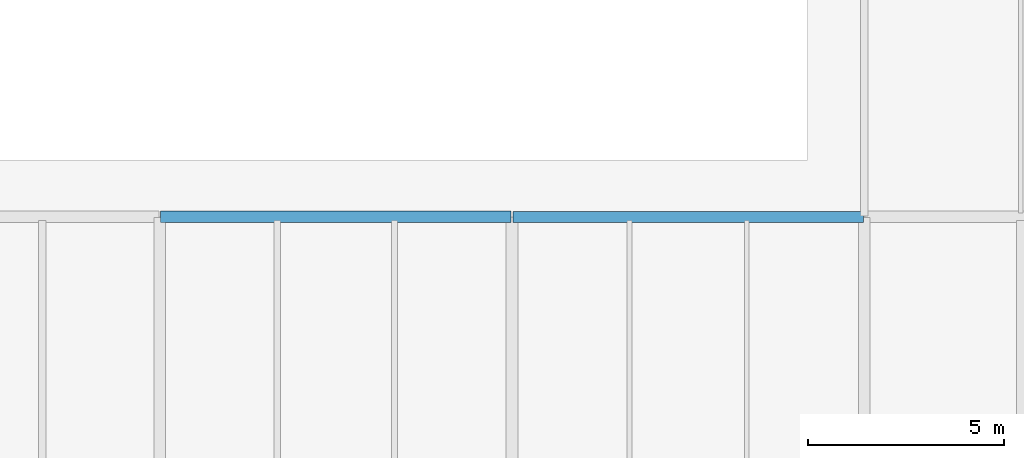
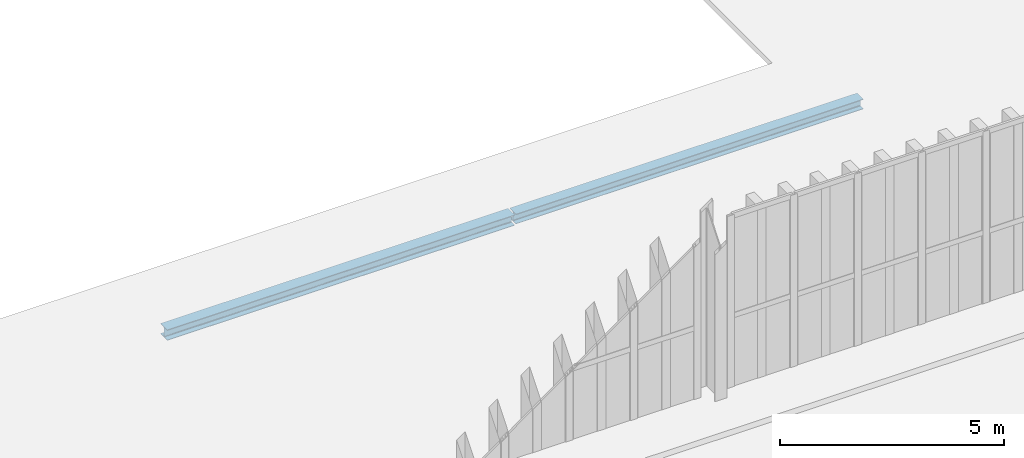
# One storey, part 158 of 237: 2 beams.
"""IFC4 building model written with IfcOpenShell, lengths in metres."""

from ifc_helpers import new_model, si_unit, direction, frame, origin, origin_2d, place, context, subcontext, project, spatial, i_section, extrude, material, material_profile, profile_set, type_object, element, save


model = new_model("IFC4")

# Units and contexts
model_context = context("Model", 3, precision=1e-05, world=origin(), true_north=direction((0.0, 1.0)))
body_context = subcontext(model_context, "Body", "Model", "MODEL_VIEW")
ifc_project = project(units=[si_unit("LENGTHUNIT", "METRE"), si_unit("AREAUNIT", "SQUARE_METRE"), si_unit("VOLUMEUNIT", "CUBIC_METRE"), si_unit("PLANEANGLEUNIT", "RADIAN"), si_unit("MASSUNIT", "GRAM", prefix="KILO")], contexts=[model_context])

# Site, building, storey
site_placement = place(None, origin())
site = spatial("IfcSite", under=ifc_project, at=site_placement, CompositionType="ELEMENT")
building_placement = place(site_placement, origin())
building = spatial("IfcBuilding", under=site, at=building_placement, Name="Barlavento Convention Centre", CompositionType="ELEMENT")
storey_placement = place(building_placement, frame((0.0, 0.0, 12.0)))
storey = spatial("IfcBuildingStorey", under=building, at=storey_placement, Name="L02", CompositionType="ELEMENT", Elevation=12.0)

# Beams
ifc_material = material(Name="Steel S355", Category="steel")
ifc_material_profile_1 = material_profile(ifc_material, i_section(OverallWidth=0.280029296875, OverallDepth=0.27001953125, WebThickness=0.008056640625, FlangeThickness=0.012939453125, FilletRadius=0.02392578125, at=origin_2d()), Name="HEA 280")
ifc_profile_set_1 = profile_set([ifc_material_profile_1], Name="Steel S355")
beam_type_1 = type_object("IfcBeamType", Name="STR-BM-SPN-HEA280", PredefinedType="SPANDREL", material=ifc_profile_set_1)
beam_1_placement = place(storey_placement, frame((171.02001953125, 108.0, -0.5), z_axis=(1.0, 0.0, 0.0), x_axis=(0.0, 1.0, 0.0)))
element("IfcBeam", 1, at=beam_1_placement, inside=storey, type_object=beam_type_1, Name="L02 primary girder SP03", PredefinedType="SPANDREL", context=body_context, shape_type="SweptSolid", body=[
    extrude(i_section(OverallWidth=0.280029296875, OverallDepth=0.27001953125, WebThickness=0.008056640625, FlangeThickness=0.012939453125, FilletRadius=0.02392578125, at=origin_2d()), origin(), (0.0, 0.0, 1.0), 8.9599609375),
])
ifc_material_profile_2 = material_profile(ifc_material, i_section(OverallWidth=0.300048828125, OverallDepth=0.2900390625, WebThickness=0.008544921875, FlangeThickness=0.013916015625, FilletRadius=0.027099609375, at=origin_2d()), Name="HEA 300")
ifc_profile_set_2 = profile_set([ifc_material_profile_2], Name="Steel S355")
beam_type_2 = type_object("IfcBeamType", Name="STR-BM-SPN-HEA300", PredefinedType="SPANDREL", material=ifc_profile_set_2)
beam_2_placement = place(storey_placement, frame((162.02001953125, 108.0, -0.510009765625), z_axis=(1.0, 0.0, 0.0), x_axis=(0.0, 1.0, 0.0)))
element("IfcBeam", 2, at=beam_2_placement, inside=storey, type_object=beam_type_2, Name="L02 primary girder SP02", PredefinedType="SPANDREL", context=body_context, shape_type="SweptSolid", body=[
    extrude(i_section(OverallWidth=0.300048828125, OverallDepth=0.2900390625, WebThickness=0.008544921875, FlangeThickness=0.013916015625, FilletRadius=0.027099609375, at=origin_2d()), origin(), (0.0, 0.0, 1.0), 8.9599609375),
])

save(model, "model.ifc")
